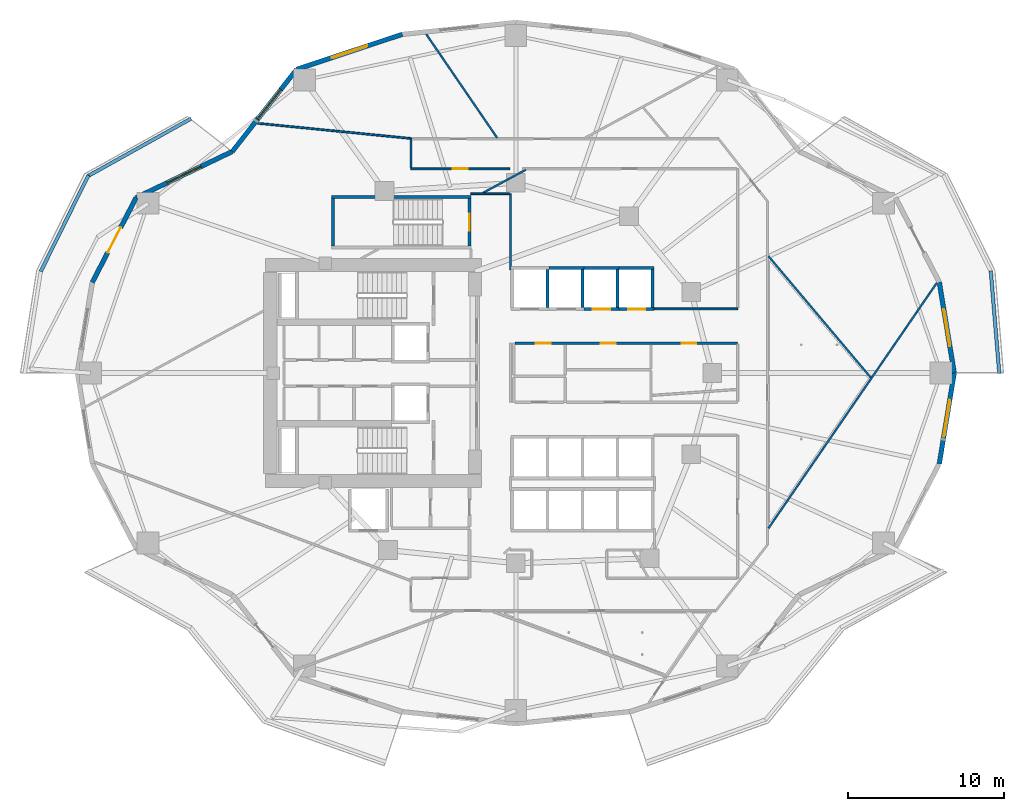
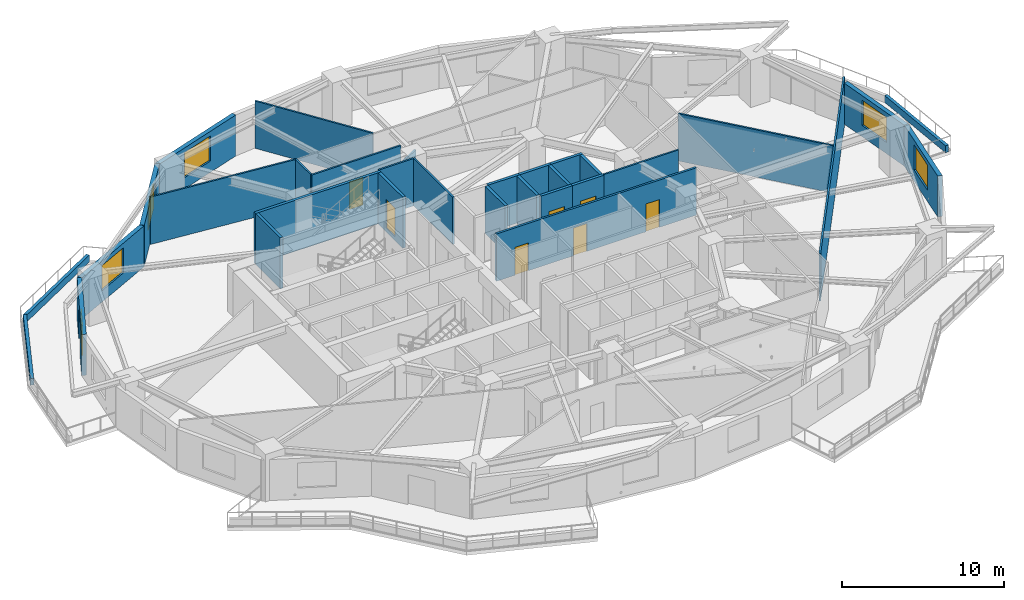
# One storey, part 6 of 16: 32 walls, 8 doors, 5 windows, 13 openings.
"""IFC4 building model written with IfcOpenShell, lengths in metres."""

from ifc_helpers import new_model, si_unit, direction, frame, frame_2d, origin, place, context, subcontext, project, spatial, rectangle, extrude, material, layer, layer_set, type_object, element, fill, save


model = new_model("IFC4")

# Units and contexts
model_context = context("Model", 3, precision=1e-05, world=origin(), true_north=direction((0.0, 1.0)))
body_context = subcontext(model_context, "Body", "Model", "MODEL_VIEW")
ifc_project = project(units=[si_unit("LENGTHUNIT", "METRE"), si_unit("AREAUNIT", "SQUARE_METRE"), si_unit("VOLUMEUNIT", "CUBIC_METRE"), si_unit("PLANEANGLEUNIT", "RADIAN"), si_unit("MASSUNIT", "GRAM", prefix="KILO")], contexts=[model_context])

# Site, building, storey
site_placement = place(None, origin())
site = spatial("IfcSite", under=ifc_project, at=site_placement, CompositionType="ELEMENT")
building_placement = place(site_placement, origin())
building = spatial("IfcBuilding", under=site, at=building_placement, Name="Kolvaren Gate Tower and Convention Centre", CompositionType="ELEMENT")
storey_placement = place(building_placement, frame((0.0, 0.0, 34.199951171875)))
storey = spatial("IfcBuildingStorey", under=building, at=storey_placement, Name="L07", CompositionType="ELEMENT", Elevation=34.199951171875)

# Walls
ifc_material_1 = material(Name="Fire-Rated Acoustic Gypsum Stud Partition", Category="gypsum")
ifc_layer_1 = layer(ifc_material_1, 0.1201171875)
ifc_layer_set_1 = layer_set([ifc_layer_1], Name="Fire-Rated Acoustic Gypsum Stud Partition")
wall_type_1 = type_object("IfcWallType", Name="ARCH-WL-PART-120", PredefinedType="PARTITIONING", material=ifc_layer_set_1)
wall_1_placement = place(storey_placement, frame((29.780029296875, 33.639892578125, 0.0), z_axis=(0.0, 0.0, 1.0), x_axis=(0.0, 1.0, 0.0)))
element("IfcWall", 1, at=wall_1_placement, inside=storey, type_object=wall_type_1, Name="Interior Partition WL-L07-INT-024", PredefinedType="PARTITIONING", context=body_context, shape_type="SweptSolid", body=[
    extrude(rectangle(XDim=4.860107421875, YDim=0.1201171875, at=frame_2d((2.43017578125, 0.0))), origin(), (0.0, 0.0, 1.0), 3.570068359375),
])
wall_2_placement = place(storey_placement, frame((39.02001953125, 31.1201171875, 0.0), z_axis=(0.0, 0.0, 1.0), x_axis=(1.0, 0.0, 0.0)))
element("IfcWall", 2, at=wall_2_placement, inside=storey, type_object=wall_type_1, Name="Interior Partition WL-L07-INT-025", PredefinedType="PARTITIONING", context=body_context, shape_type="SweptSolid", body=[
    extrude(rectangle(XDim=5.330078125, YDim=0.1201171875, at=frame_2d((2.6650390625, 0.0))), origin(), (0.0, 0.0, 1.0), 3.570068359375),
])

# Wall, opening, door
wall_3_placement = place(storey_placement, frame((23.39990234375, 40.10009765625, 0.0), z_axis=(0.0, 0.0, 1.0), x_axis=(1.0, 0.0, 0.0)))
wall_3 = element("IfcWall", 3, at=wall_3_placement, inside=storey, type_object=wall_type_1, Name="Interior Partition WL-L07-INT-029", PredefinedType="PARTITIONING", context=body_context, shape_type="SweptSolid", body=[
    extrude(rectangle(XDim=6.335205078125, YDim=0.1201171875, at=frame_2d((3.16748046875, 0.0))), origin(), (0.0, 0.0, 1.0), 3.570068359375),
])
opening_1_placement = place(wall_3_placement, frame((2.6923828125, 0.0, 0.0)))
opening_1 = element("IfcOpeningElement", 4, at=opening_1_placement, cuts=wall_3, Name="Opening DR-01", PredefinedType="OPENING", context=body_context, shape_type="SweptSolid", body=[
    extrude(rectangle(XDim=0.949951171875, YDim=2.10009765625, at=frame_2d((0.47509765625, 1.050048828125))), frame((0.0, 0.070068359375, 0.0), z_axis=(0.0, -1.0, 0.0), x_axis=(1.0, 0.0, 0.0)), (0.0, 0.0, 1.0), 0.14013671875),
])
ifc_material_2 = material(Name="Painted Architectural Steelwork ASTM A500 Grade C 345 MPa", Category="steel")
door_type_1 = type_object("IfcDoorType", Name="ARCH-DR-RISER-950", OperationType="SINGLE_SWING_RIGHT", PredefinedType="DOOR", material=ifc_material_2)
door_1_placement = place(opening_1_placement, origin())
door_1 = element("IfcDoor", 5, at=door_1_placement, inside=storey, type_object=door_type_1, Name="Conference and Training Seminar Room Door", OperationType="SINGLE_SWING_LEFT", OverallHeight=2.10009765625, OverallWidth=0.949951171875, PredefinedType="DOOR", context=body_context, shape_type="SweptSolid", body=[
    extrude(rectangle(XDim=0.949951171875, YDim=2.10009765625, at=frame_2d((0.47509765625, 1.050048828125))), frame((0.0, 0.02490234375, 0.0), z_axis=(0.0, -1.0, 0.0), x_axis=(1.0, 0.0, 0.0)), (0.0, 0.0, 1.0), 0.050048828125),
])
fill(opening_1, door_1)

# Walls
wall_4_placement = place(storey_placement, frame((23.39990234375, 40.162109375, 0.0), z_axis=(0.0, 0.0, 1.0), x_axis=(0.0, 1.0, 0.0)))
element("IfcWall", 6, at=wall_4_placement, inside=storey, type_object=wall_type_1, Name="Interior Partition WL-L07-INT-032", PredefinedType="PARTITIONING", context=body_context, shape_type="SweptSolid", body=[
    extrude(rectangle(XDim=1.885986328125, YDim=0.1201171875, at=frame_2d((0.94287109375, 0.0))), origin(), (0.0, 0.0, 1.0), 3.570068359375),
])
wall_5_placement = place(storey_placement, frame((27.25, 38.5, 0.0), z_axis=(0.0, 0.0, 1.0), x_axis=(1.0, 0.0, 0.0)))
element("IfcWall", 7, at=wall_5_placement, inside=storey, type_object=wall_type_1, Name="Interior Partition WL-L07-INT-042", PredefinedType="PARTITIONING", context=body_context, shape_type="SweptSolid", body=[
    extrude(rectangle(XDim=2.468017578125, YDim=0.1201171875, at=frame_2d((1.23388671875, 0.0))), origin(), (0.0, 0.0, 1.0), 3.570068359375),
])
wall_6_placement = place(storey_placement, frame((28.018798828125, 38.56201171875, 0.0), z_axis=(0.0, 0.0, 1.0), x_axis=(0.880483688628, 0.474076443267, 0.0)))
element("IfcWall", 8, at=wall_6_placement, inside=storey, type_object=wall_type_1, Name="Interior Partition WL-L07-INT-052", PredefinedType="PARTITIONING", context=body_context, shape_type="SweptSolid", body=[
    extrude(rectangle(XDim=3.113525390625, YDim=0.1201171875, at=frame_2d((1.556640625, 0.0))), origin(), (0.0, 0.0, 1.0), 2.93408203125),
])
wall_7_placement = place(storey_placement, frame((46.33203125, 17.04541015625, 0.0), z_axis=(0.0, 0.0, 1.0), x_axis=(0.565716902062, 0.824599531119, 0.0)))
element("IfcWall", 9, at=wall_7_placement, inside=storey, type_object=wall_type_1, Name="Interior Partition WL-L07-INT-058", PredefinedType="PARTITIONING", context=body_context, shape_type="SweptSolid", body=[
    extrude(rectangle(XDim=19.097900390625, YDim=0.1201171875, at=frame_2d((9.548828125, 0.0))), origin(), (0.0, 0.0, 1.0), 3.570068359375),
])
wall_8_placement = place(storey_placement, frame((46.33203125, 34.497314453125, 0.0), z_axis=(0.0, 0.0, 1.0), x_axis=(0.644329997074, -0.764747575917, 0.0)))
element("IfcWall", 10, at=wall_8_placement, inside=storey, type_object=wall_type_1, Name="Interior Partition WL-L07-INT-061", PredefinedType="PARTITIONING", context=body_context, shape_type="SweptSolid", body=[
    extrude(rectangle(XDim=10.177734375, YDim=0.1201171875, at=frame_2d((5.0888671875, 0.0))), origin(), (0.0, 0.0, 1.0), 3.570068359375),
])
wall_9_placement = place(storey_placement, frame((24.376953125, 48.74169921875, 0.0), z_axis=(0.0, 0.0, 1.0), x_axis=(0.56452118845, -0.825418577323, 0.0)))
element("IfcWall", 11, at=wall_9_placement, inside=storey, type_object=wall_type_1, Name="Interior Partition WL-L07-INT-063", PredefinedType="PARTITIONING", context=body_context, shape_type="SweptSolid", body=[
    extrude(rectangle(XDim=8.068115234375, YDim=0.1201171875, at=frame_2d((4.0341796875, 0.0))), origin(), (0.0, 0.0, 1.0), 3.570068359375),
])
wall_10_placement = place(storey_placement, frame((13.546142578125, 43.0244140625, 0.0), z_axis=(0.0, 0.0, 1.0), x_axis=(0.995126865481, -0.098602847817, 0.0)))
element("IfcWall", 12, at=wall_10_placement, inside=storey, type_object=wall_type_1, Name="Interior Partition WL-L07-INT-064", PredefinedType="PARTITIONING", context=body_context, shape_type="SweptSolid", body=[
    extrude(rectangle(XDim=9.901611328125, YDim=0.1201171875, at=frame_2d((4.95068359375, 0.0))), origin(), (0.0, 0.0, 1.0), 3.570068359375),
])
ifc_material_3 = material(Name="Piedmont Cream Honed Limestone Cladding", Category="masonry")
ifc_layer_2 = layer(ifc_material_3, 0.219970703125)
ifc_layer_set_2 = layer_set([ifc_layer_2], Name="Piedmont Cream Honed Limestone Cladding")
wall_type_2 = type_object("IfcWallType", Name="ARCH-WL-PLANTER-220", PredefinedType="PARAPET", material=ifc_layer_set_2)
wall_11_placement = place(storey_placement, frame((60.592041015625, 33.560791015625, 0.0), z_axis=(0.0, 0.0, 1.0), x_axis=(0.08310047353, -0.996541173911, 0.0)))
element("IfcWall", 13, at=wall_11_placement, inside=storey, type_object=wall_type_2, Name="Vertical-Forest Balcony Stone Planter Kerb PK-L07-1.1", PredefinedType="PARAPET", context=body_context, shape_type="SweptSolid", body=[
    extrude(rectangle(XDim=6.61328125, YDim=0.219970703125, at=frame_2d((3.306640625, 0.0))), origin(), (0.0, 0.0, 1.0), 0.52001953125),
])
wall_12_placement = place(storey_placement, frame((2.685302734375, 39.640625, 0.0), z_axis=(0.0, 0.0, 1.0), x_axis=(0.873500119739, 0.48682393205, 0.0)))
element("IfcWall", 14, at=wall_12_placement, inside=storey, type_object=wall_type_2, Name="Vertical-Forest Balcony Stone Planter Kerb PK-L07-2.1", PredefinedType="PARAPET", context=body_context, shape_type="SweptSolid", body=[
    extrude(rectangle(XDim=7.56201171875, YDim=0.219970703125, at=frame_2d((3.781005859375, 0.0))), origin(), (0.0, 0.0, 1.0), 0.52001953125),
])
wall_13_placement = place(storey_placement, frame((-0.3544921875, 33.50244140625, 0.0), z_axis=(0.0, 0.0, 1.0), x_axis=(0.443578479433, 0.8962355341, 0.0)))
element("IfcWall", 15, at=wall_13_placement, inside=storey, type_object=wall_type_2, Name="Vertical-Forest Balcony Stone Planter Kerb PK-L07-2.2", PredefinedType="PARAPET", context=body_context, shape_type="SweptSolid", body=[
    extrude(rectangle(XDim=6.9111328125, YDim=0.219970703125, at=frame_2d((3.45556640625, 0.0))), origin(), (0.0, 0.0, 1.0), 0.52001953125),
])
ifc_material_4 = material(Name="Autoclaved Aerated Masonry Blockwork Class 4 (4.0 MPa)", Category="masonry")
ifc_layer_3 = layer(ifc_material_4, 0.199951171875)
ifc_layer_set_3 = layer_set([ifc_layer_3], Name="Autoclaved Aerated Masonry Blockwork Class 4 (4.0 MPa)")
wall_type_3 = type_object("IfcWallType", Name="ARCH-WL-SHAFT-200", PredefinedType="SOLIDWALL", material=ifc_layer_set_3)
wall_14_placement = place(storey_placement, frame((32.14990234375, 31.2099609375, 0.0), z_axis=(0.0, 0.0, 1.0), x_axis=(0.0, 1.0, 0.0)))
element("IfcWall", 16, at=wall_14_placement, inside=storey, type_object=wall_type_3, Name="Elevator PL-01 L07 Fire Shaft Wall E", PredefinedType="SOLIDWALL", context=body_context, shape_type="SweptSolid", body=[
    extrude(rectangle(XDim=2.429931640625, YDim=0.199951171875, at=frame_2d((1.21484375, 0.0))), origin(), (0.0, 0.0, 1.0), 3.570068359375),
])
wall_15_placement = place(storey_placement, frame((32.25, 33.75, 0.0), z_axis=(0.0, 0.0, 1.0), x_axis=(1.0, 0.0, 0.0)))
element("IfcWall", 17, at=wall_15_placement, inside=storey, type_object=wall_type_3, Name="Elevator PL-02 L07 Fire Shaft Wall N", PredefinedType="SOLIDWALL", context=body_context, shape_type="SweptSolid", body=[
    extrude(rectangle(XDim=2.25, YDim=0.199951171875, at=frame_2d((1.125, 0.0))), origin(), (0.0, 0.0, 1.0), 3.570068359375),
])
wall_16_placement = place(storey_placement, frame((34.39990234375, 31.2099609375, 0.0), z_axis=(0.0, 0.0, 1.0), x_axis=(0.0, 1.0, 0.0)))
element("IfcWall", 18, at=wall_16_placement, inside=storey, type_object=wall_type_3, Name="Elevator PL-02 L07 Fire Shaft Wall E", PredefinedType="SOLIDWALL", context=body_context, shape_type="SweptSolid", body=[
    extrude(rectangle(XDim=2.429931640625, YDim=0.199951171875, at=frame_2d((1.21484375, 0.0))), origin(), (0.0, 0.0, 1.0), 3.570068359375),
])
wall_17_placement = place(storey_placement, frame((34.5, 33.75, 0.0), z_axis=(0.0, 0.0, 1.0), x_axis=(1.0, 0.0, 0.0)))
element("IfcWall", 19, at=wall_17_placement, inside=storey, type_object=wall_type_3, Name="Elevator PL-03 L07 Fire Shaft Wall N", PredefinedType="SOLIDWALL", context=body_context, shape_type="SweptSolid", body=[
    extrude(rectangle(XDim=2.25, YDim=0.199951171875, at=frame_2d((1.125, 0.0))), origin(), (0.0, 0.0, 1.0), 3.570068359375),
])

# Wall, opening, door
wall_18_placement = place(storey_placement, frame((34.5, 31.10009765625, 0.0), z_axis=(0.0, 0.0, 1.0), x_axis=(1.0, 0.0, 0.0)))
wall_18 = element("IfcWall", 20, at=wall_18_placement, inside=storey, type_object=wall_type_3, Name="Elevator PL-03 L07 Fire Shaft Wall S", PredefinedType="SOLIDWALL", context=body_context, shape_type="SweptSolid", body=[
    extrude(rectangle(XDim=2.25, YDim=0.199951171875, at=frame_2d((1.125, 0.0))), origin(), (0.0, 0.0, 1.0), 3.570068359375),
])
opening_2_placement = place(wall_18_placement, frame((0.574951171875, 0.0, 0.0)))
opening_2 = element("IfcOpeningElement", 21, at=opening_2_placement, cuts=wall_18, Name="Opening LD", PredefinedType="OPENING", context=body_context, shape_type="SweptSolid", body=[
    extrude(rectangle(XDim=1.10009765625, YDim=2.199951171875, at=frame_2d((0.550048828125, 1.10009765625))), frame((0.0, 0.10986328125, 0.0), z_axis=(0.0, -1.0, 0.0), x_axis=(1.0, 0.0, 0.0)), (0.0, 0.0, 1.0), 0.219970703125),
])
ifc_material_5 = material(Name="Brushed Stainless Steel Grade 316L", Category="steel")
door_type_2 = type_object("IfcDoorType", Name="ARCH-DR-LIFT-1100", OperationType="SLIDING_TO_LEFT", PredefinedType="DOOR", material=ifc_material_5)
door_2_placement = place(opening_2_placement, origin())
door_2 = element("IfcDoor", 22, at=door_2_placement, inside=storey, type_object=door_type_2, Name="Elevator PL-03 L07 Sliding Landing Door", OperationType="SLIDING_TO_LEFT", OverallHeight=2.199951171875, OverallWidth=1.10009765625, PredefinedType="DOOR", context=body_context, shape_type="SweptSolid", body=[
    extrude(rectangle(XDim=1.10009765625, YDim=2.199951171875, at=frame_2d((0.550048828125, 1.10009765625))), frame((0.0, 0.02490234375, 0.0), z_axis=(0.0, -1.0, 0.0), x_axis=(1.0, 0.0, 0.0)), (0.0, 0.0, 1.0), 0.050048828125),
])
fill(opening_2, door_2)

# Walls
wall_19_placement = place(storey_placement, frame((36.64990234375, 31.2099609375, 0.0), z_axis=(0.0, 0.0, 1.0), x_axis=(0.0, 1.0, 0.0)))
element("IfcWall", 23, at=wall_19_placement, inside=storey, type_object=wall_type_3, Name="Elevator PL-03 L07 Fire Shaft Wall E", PredefinedType="SOLIDWALL", context=body_context, shape_type="SweptSolid", body=[
    extrude(rectangle(XDim=2.429931640625, YDim=0.199951171875, at=frame_2d((1.21484375, 0.0))), origin(), (0.0, 0.0, 1.0), 3.570068359375),
])
wall_20_placement = place(storey_placement, frame((36.75, 33.75, 0.0), z_axis=(0.0, 0.0, 1.0), x_axis=(1.0, 0.0, 0.0)))
element("IfcWall", 24, at=wall_20_placement, inside=storey, type_object=wall_type_3, Name="Elevator PL-04 L07 Fire Shaft Wall N", PredefinedType="SOLIDWALL", context=body_context, shape_type="SweptSolid", body=[
    extrude(rectangle(XDim=2.25, YDim=0.199951171875, at=frame_2d((1.125, 0.0))), origin(), (0.0, 0.0, 1.0), 3.570068359375),
])

# Wall, opening, door
wall_21_placement = place(storey_placement, frame((36.75, 31.10009765625, 0.0), z_axis=(0.0, 0.0, 1.0), x_axis=(1.0, 0.0, 0.0)))
wall_21 = element("IfcWall", 25, at=wall_21_placement, inside=storey, type_object=wall_type_3, Name="Elevator PL-04 L07 Fire Shaft Wall S", PredefinedType="SOLIDWALL", context=body_context, shape_type="SweptSolid", body=[
    extrude(rectangle(XDim=2.25, YDim=0.199951171875, at=frame_2d((1.125, 0.0))), origin(), (0.0, 0.0, 1.0), 3.570068359375),
])
opening_3_placement = place(wall_21_placement, frame((0.574951171875, 0.0, 0.0)))
opening_3 = element("IfcOpeningElement", 26, at=opening_3_placement, cuts=wall_21, Name="Opening LD", PredefinedType="OPENING", context=body_context, shape_type="SweptSolid", body=[
    extrude(rectangle(XDim=1.10009765625, YDim=2.199951171875, at=frame_2d((0.550048828125, 1.10009765625))), frame((0.0, 0.10986328125, 0.0), z_axis=(0.0, -1.0, 0.0), x_axis=(1.0, 0.0, 0.0)), (0.0, 0.0, 1.0), 0.219970703125),
])
door_3_placement = place(opening_3_placement, origin())
door_3 = element("IfcDoor", 27, at=door_3_placement, inside=storey, type_object=door_type_2, Name="Elevator PL-04 L07 Sliding Landing Door", OperationType="SLIDING_TO_LEFT", OverallHeight=2.199951171875, OverallWidth=1.10009765625, PredefinedType="DOOR", context=body_context, shape_type="SweptSolid", body=[
    extrude(rectangle(XDim=1.10009765625, YDim=2.199951171875, at=frame_2d((0.550048828125, 1.10009765625))), frame((0.0, 0.02490234375, 0.0), z_axis=(0.0, -1.0, 0.0), x_axis=(1.0, 0.0, 0.0)), (0.0, 0.0, 1.0), 0.050048828125),
])
fill(opening_3, door_3)

# Wall
wall_22_placement = place(storey_placement, frame((38.89990234375, 31.2099609375, 0.0), z_axis=(0.0, 0.0, 1.0), x_axis=(0.0, 1.0, 0.0)))
element("IfcWall", 28, at=wall_22_placement, inside=storey, type_object=wall_type_3, Name="Elevator PL-04 L07 Fire Shaft Wall E", PredefinedType="SOLIDWALL", context=body_context, shape_type="SweptSolid", body=[
    extrude(rectangle(XDim=2.429931640625, YDim=0.199951171875, at=frame_2d((1.21484375, 0.0))), origin(), (0.0, 0.0, 1.0), 3.570068359375),
])

# Wall, opening, window
ifc_layer_4 = layer(ifc_material_3, 0.300048828125)
ifc_layer_set_4 = layer_set([ifc_layer_4], Name="Piedmont Cream Honed Limestone Cladding")
wall_type_4 = type_object("IfcWallType", Name="ARCH-WL-STONE-300", PredefinedType="SOLIDWALL", material=ifc_layer_set_4)
wall_23_placement = place(storey_placement, frame((57.291748046875, 32.823486328125, 0.0), z_axis=(0.0, 0.0, 1.0), x_axis=(0.162366057843, -0.98673059305, 0.0)))
wall_23 = element("IfcWall", 29, at=wall_23_placement, inside=storey, type_object=wall_type_4, Name="Tower L07 Honed Stone Spandrel Wall EW-00", PredefinedType="SOLIDWALL", context=body_context, shape_type="SweptSolid", body=[
    extrude(rectangle(XDim=5.90185546875, YDim=0.300048828125, at=frame_2d((2.950927734375, 0.0))), origin(), (0.0, 0.0, 1.0), 3.093017578125),
])
opening_4_placement = place(wall_23_placement, frame((1.7509765625, 0.0, 0.85009765625)))
opening_4 = element("IfcOpeningElement", 30, at=opening_4_placement, cuts=wall_23, Name="Opening W-01", PredefinedType="OPENING", context=body_context, shape_type="SweptSolid", body=[
    extrude(rectangle(XDim=2.39990234375, YDim=1.89990234375, at=frame_2d((1.199951171875, 0.949951171875))), frame((0.0, 0.159912109375, 0.0), z_axis=(0.0, -1.0, 0.0), x_axis=(1.0, 0.0, 0.0)), (0.0, 0.0, 1.0), 0.320068359375),
])
ifc_material_6 = material(Name="Low-E Triple Insulated Glazing Unit 44 mm", Category="glass")
window_type = type_object("IfcWindowType", Name="ARCH-WN-OFF-2400", PartitioningType="SINGLE_PANEL", PredefinedType="WINDOW", material=ifc_material_6)
window_1_placement = place(opening_4_placement, origin())
window_1 = element("IfcWindow", 31, at=window_1_placement, inside=storey, type_object=window_type, Name="Tower L07 Punched Stone Facade Window W-00", OverallHeight=1.89990234375, OverallWidth=2.39990234375, PartitioningType="SINGLE_PANEL", PredefinedType="WINDOW", context=body_context, shape_type="SweptSolid", body=[
    extrude(rectangle(XDim=2.39990234375, YDim=1.89990234375, at=frame_2d((1.199951171875, 0.949951171875))), frame((0.0, 0.030029296875, 0.0), z_axis=(0.0, -1.0, 0.0), x_axis=(1.0, 0.0, 0.0)), (0.0, 0.0, 1.0), 0.06005859375),
])
fill(opening_4, window_1)

wall_24_placement = place(storey_placement, frame((16.0625, 46.485595703125, 0.0), z_axis=(0.0, 0.0, 1.0), x_axis=(0.949238715533, 0.31455661006, 0.0)))
wall_24 = element("IfcWall", 32, at=wall_24_placement, inside=storey, type_object=wall_type_4, Name="Tower L07 Honed Stone Spandrel Wall EW-07", PredefinedType="SOLIDWALL", context=body_context, shape_type="SweptSolid", body=[
    extrude(rectangle(XDim=7.14599609375, YDim=0.300048828125, at=frame_2d((3.572998046875, 0.0))), origin(), (0.0, 0.0, 1.0), 3.093017578125),
])
opening_5_placement = place(wall_24_placement, frame((2.373046875, 0.0, 0.85009765625)))
opening_5 = element("IfcOpeningElement", 33, at=opening_5_placement, cuts=wall_24, Name="Opening W-01", PredefinedType="OPENING", context=body_context, shape_type="SweptSolid", body=[
    extrude(rectangle(XDim=2.39990234375, YDim=1.89990234375, at=frame_2d((1.199951171875, 0.949951171875))), frame((0.0, 0.159912109375, 0.0), z_axis=(0.0, -1.0, 0.0), x_axis=(1.0, 0.0, 0.0)), (0.0, 0.0, 1.0), 0.320068359375),
])
window_2_placement = place(opening_5_placement, origin())
window_2 = element("IfcWindow", 34, at=window_2_placement, inside=storey, type_object=window_type, Name="Tower L07 Punched Stone Facade Window W-07", OverallHeight=1.89990234375, OverallWidth=2.39990234375, PartitioningType="SINGLE_PANEL", PredefinedType="WINDOW", context=body_context, shape_type="SweptSolid", body=[
    extrude(rectangle(XDim=2.39990234375, YDim=1.89990234375, at=frame_2d((1.199951171875, 0.949951171875))), frame((0.0, 0.030029296875, 0.0), z_axis=(0.0, -1.0, 0.0), x_axis=(1.0, 0.0, 0.0)), (0.0, 0.0, 1.0), 0.06005859375),
])
fill(opening_5, window_2)

wall_25_placement = place(storey_placement, frame((11.934814453125, 41.212890625, 0.0), z_axis=(0.0, 0.0, 1.0), x_axis=(0.616421309777, 0.787416515482, 0.0)))
wall_25 = element("IfcWall", 35, at=wall_25_placement, inside=storey, type_object=wall_type_4, Name="Tower L07 Honed Stone Spandrel Wall EW-08", PredefinedType="SOLIDWALL", context=body_context, shape_type="SweptSolid", body=[
    extrude(rectangle(XDim=6.6962890625, YDim=0.300048828125, at=frame_2d((3.34814453125, 0.0))), origin(), (0.0, 0.0, 1.0), 3.093017578125),
])
opening_6_placement = place(wall_25_placement, frame((2.64990234375, 0.0, 0.85009765625)))
opening_6 = element("IfcOpeningElement", 36, at=opening_6_placement, cuts=wall_25, Name="Opening W-01", PredefinedType="OPENING", context=body_context, shape_type="SweptSolid", body=[
    extrude(rectangle(XDim=2.39990234375, YDim=1.89990234375, at=frame_2d((1.199951171875, 0.949951171875))), frame((0.0, 0.159912109375, 0.0), z_axis=(0.0, -1.0, 0.0), x_axis=(1.0, 0.0, 0.0)), (0.0, 0.0, 1.0), 0.320068359375),
])
window_3_placement = place(opening_6_placement, origin())
window_3 = element("IfcWindow", 37, at=window_3_placement, inside=storey, type_object=window_type, Name="Tower L07 Punched Stone Facade Window W-08", OverallHeight=1.89990234375, OverallWidth=2.39990234375, PartitioningType="SINGLE_PANEL", PredefinedType="WINDOW", context=body_context, shape_type="SweptSolid", body=[
    extrude(rectangle(XDim=2.39990234375, YDim=1.89990234375, at=frame_2d((1.199951171875, 0.949951171875))), frame((0.0, 0.030029296875, 0.0), z_axis=(0.0, -1.0, 0.0), x_axis=(1.0, 0.0, 0.0)), (0.0, 0.0, 1.0), 0.06005859375),
])
fill(opening_6, window_3)

wall_26_placement = place(storey_placement, frame((5.76806640625, 38.25, 0.0), z_axis=(0.0, 0.0, 1.0), x_axis=(0.901360393999, 0.433069786673, 0.0)))
wall_26 = element("IfcWall", 38, at=wall_26_placement, inside=storey, type_object=wall_type_4, Name="Tower L07 Honed Stone Spandrel Wall EW-09", PredefinedType="SOLIDWALL", context=body_context, shape_type="SweptSolid", body=[
    extrude(rectangle(XDim=6.841552734375, YDim=0.300048828125, at=frame_2d((3.4208984375, 0.0))), origin(), (0.0, 0.0, 1.0), 3.093017578125),
])
opening_7_placement = place(wall_26_placement, frame((2.220947265625, 0.0, 0.85009765625)))
opening_7 = element("IfcOpeningElement", 39, at=opening_7_placement, cuts=wall_26, Name="Opening W-01", PredefinedType="OPENING", context=body_context, shape_type="SweptSolid", body=[
    extrude(rectangle(XDim=2.39990234375, YDim=1.89990234375, at=frame_2d((1.199951171875, 0.949951171875))), frame((0.0, 0.159912109375, 0.0), z_axis=(0.0, -1.0, 0.0), x_axis=(1.0, 0.0, 0.0)), (0.0, 0.0, 1.0), 0.320068359375),
])
window_4_placement = place(opening_7_placement, origin())
window_4 = element("IfcWindow", 40, at=window_4_placement, inside=storey, type_object=window_type, Name="Tower L07 Punched Stone Facade Window W-09", OverallHeight=1.89990234375, OverallWidth=2.39990234375, PartitioningType="SINGLE_PANEL", PredefinedType="WINDOW", context=body_context, shape_type="SweptSolid", body=[
    extrude(rectangle(XDim=2.39990234375, YDim=1.89990234375, at=frame_2d((1.199951171875, 0.949951171875))), frame((0.0, 0.030029296875, 0.0), z_axis=(0.0, -1.0, 0.0), x_axis=(1.0, 0.0, 0.0)), (0.0, 0.0, 1.0), 0.06005859375),
])
fill(opening_7, window_4)

# Wall, opening, door
wall_27_placement = place(storey_placement, frame((2.958251953125, 32.823486328125, 0.0), z_axis=(0.0, 0.0, 1.0), x_axis=(0.459809804413, 0.88801742312, 0.0)))
wall_27 = element("IfcWall", 41, at=wall_27_placement, inside=storey, type_object=wall_type_4, Name="Tower L07 Honed Stone Spandrel Wall EW-10", PredefinedType="SOLIDWALL", context=body_context, shape_type="SweptSolid", body=[
    extrude(rectangle(XDim=6.11083984375, YDim=0.300048828125, at=frame_2d((3.055419921875, 0.0))), origin(), (0.0, 0.0, 1.0), 3.093017578125),
])
opening_8_placement = place(wall_27_placement, frame((2.155029296875, 0.0, 0.0)))
opening_8 = element("IfcOpeningElement", 42, at=opening_8_placement, cuts=wall_27, Name="Opening DB-01", PredefinedType="OPENING", context=body_context, shape_type="SweptSolid", body=[
    extrude(rectangle(XDim=1.800048828125, YDim=2.25, at=frame_2d((0.89990234375, 1.125))), frame((0.0, 0.159912109375, 0.0), z_axis=(0.0, -1.0, 0.0), x_axis=(1.0, 0.0, 0.0)), (0.0, 0.0, 1.0), 0.320068359375),
])
ifc_material_7 = material(Name="Anodized Architectural Aluminium Alloy 6063-T6", Category="aluminium")
door_type_3 = type_object("IfcDoorType", Name="ARCH-DR-BALC-1800", OperationType="SLIDING_TO_LEFT", PredefinedType="DOOR", material=ifc_material_7)
door_4_placement = place(opening_8_placement, origin())
door_4 = element("IfcDoor", 43, at=door_4_placement, inside=storey, type_object=door_type_3, Name="Planted Sky Terrace Access Door DB-L07-10", OperationType="SLIDING_TO_LEFT", OverallHeight=2.25, OverallWidth=1.800048828125, PredefinedType="DOOR", context=body_context, shape_type="SweptSolid", body=[
    extrude(rectangle(XDim=1.800048828125, YDim=2.25, at=frame_2d((0.89990234375, 1.125))), frame((0.0, 0.02490234375, 0.0), z_axis=(0.0, -1.0, 0.0), x_axis=(1.0, 0.0, 0.0)), (0.0, 0.0, 1.0), 0.050048828125),
])
fill(opening_8, door_4)

# Wall, opening, window
wall_28_placement = place(storey_placement, frame((57.291748046875, 21.176513671875, 0.0), z_axis=(0.0, 0.0, 1.0), x_axis=(0.162366057843, 0.98673059305, 0.0)))
wall_28 = element("IfcWall", 44, at=wall_28_placement, inside=storey, type_object=wall_type_4, Name="Tower L07 Honed Stone Spandrel Wall EW-23", PredefinedType="SOLIDWALL", context=body_context, shape_type="SweptSolid", body=[
    extrude(rectangle(XDim=5.90185546875, YDim=0.300048828125, at=frame_2d((2.950927734375, 0.0))), origin(), (0.0, 0.0, 1.0), 3.093017578125),
])
opening_9_placement = place(wall_28_placement, frame((1.7509765625, 0.0, 0.85009765625)))
opening_9 = element("IfcOpeningElement", 45, at=opening_9_placement, cuts=wall_28, Name="Opening W-01", PredefinedType="OPENING", context=body_context, shape_type="SweptSolid", body=[
    extrude(rectangle(XDim=2.39990234375, YDim=1.89990234375, at=frame_2d((1.199951171875, 0.949951171875))), frame((0.0, 0.159912109375, 0.0), z_axis=(0.0, -1.0, 0.0), x_axis=(1.0, 0.0, 0.0)), (0.0, 0.0, 1.0), 0.320068359375),
])
window_5_placement = place(opening_9_placement, origin())
window_5 = element("IfcWindow", 46, at=window_5_placement, inside=storey, type_object=window_type, Name="Tower L07 Punched Stone Facade Window W-23", OverallHeight=1.89990234375, OverallWidth=2.39990234375, PartitioningType="SINGLE_PANEL", PredefinedType="WINDOW", context=body_context, shape_type="SweptSolid", body=[
    extrude(rectangle(XDim=2.39990234375, YDim=1.89990234375, at=frame_2d((1.199951171875, 0.949951171875))), frame((0.0, 0.030029296875, 0.0), z_axis=(0.0, -1.0, 0.0), x_axis=(1.0, 0.0, 0.0)), (0.0, 0.0, 1.0), 0.06005859375),
])
fill(opening_9, window_5)

# Wall, openings, doors
ifc_material_8 = material(Name="Moisture-Resistant Cement-Board Acoustic Partition", Category="gypsum")
ifc_layer_5 = layer(ifc_material_8, 0.14990234375)
ifc_layer_set_5 = layer_set([ifc_layer_5], Name="Moisture-Resistant Cement-Board Acoustic Partition")
wall_type_5 = type_object("IfcWallType", Name="ARCH-WL-WET-150", PredefinedType="PARTITIONING", material=ifc_layer_set_5)
wall_29_placement = place(storey_placement, frame((30.076904296875, 28.919921875, 0.0), z_axis=(0.0, 0.0, 1.0), x_axis=(1.0, 0.0, 0.0)))
wall_29 = element("IfcWall", 47, at=wall_29_placement, inside=storey, type_object=wall_type_5, Name="Interior Partition WL-L07-INT-017", PredefinedType="PARTITIONING", context=body_context, shape_type="SweptSolid", body=[
    extrude(rectangle(XDim=14.273193359375, YDim=0.14990234375, at=frame_2d((7.13671875, 0.0))), origin(), (0.0, 0.0, 1.0), 3.570068359375),
])
opening_10_placement = place(wall_29_placement, frame((1.341552734375, 0.0, 0.0)))
opening_10 = element("IfcOpeningElement", 48, at=opening_10_placement, cuts=wall_29, Name="Opening DR-01", PredefinedType="OPENING", context=body_context, shape_type="SweptSolid", body=[
    extrude(rectangle(XDim=0.949951171875, YDim=2.10009765625, at=frame_2d((0.47509765625, 1.050048828125))), frame((0.0, 0.0849609375, 0.0), z_axis=(0.0, -1.0, 0.0), x_axis=(1.0, 0.0, 0.0)), (0.0, 0.0, 1.0), 0.169921875),
])
opening_11_placement = place(wall_29_placement, frame((5.498046875, 0.0, 0.0)))
opening_11 = element("IfcOpeningElement", 49, at=opening_11_placement, cuts=wall_29, Name="Opening DR-01", PredefinedType="OPENING", context=body_context, shape_type="SweptSolid", body=[
    extrude(rectangle(XDim=0.949951171875, YDim=2.10009765625, at=frame_2d((0.47509765625, 1.050048828125))), frame((0.0, 0.0849609375, 0.0), z_axis=(0.0, -1.0, 0.0), x_axis=(1.0, 0.0, 0.0)), (0.0, 0.0, 1.0), 0.169921875),
])
opening_12_placement = place(wall_29_placement, frame((10.677978515625, 0.0, 0.0)))
opening_12 = element("IfcOpeningElement", 50, at=opening_12_placement, cuts=wall_29, Name="Opening DR-01", PredefinedType="OPENING", context=body_context, shape_type="SweptSolid", body=[
    extrude(rectangle(XDim=0.949951171875, YDim=2.10009765625, at=frame_2d((0.47509765625, 1.050048828125))), frame((0.0, 0.0849609375, 0.0), z_axis=(0.0, -1.0, 0.0), x_axis=(1.0, 0.0, 0.0)), (0.0, 0.0, 1.0), 0.169921875),
])
door_5_placement = place(opening_10_placement, origin())
door_5 = element("IfcDoor", 51, at=door_5_placement, inside=storey, type_object=door_type_1, Name="Accessible North Washroom Door", OperationType="SINGLE_SWING_RIGHT", OverallHeight=2.10009765625, OverallWidth=0.949951171875, PredefinedType="DOOR", context=body_context, shape_type="SweptSolid", body=[
    extrude(rectangle(XDim=0.949951171875, YDim=2.10009765625, at=frame_2d((0.47509765625, 1.050048828125))), frame((0.0, 0.02490234375, 0.0), z_axis=(0.0, -1.0, 0.0), x_axis=(1.0, 0.0, 0.0)), (0.0, 0.0, 1.0), 0.050048828125),
])
fill(opening_10, door_5)
door_6_placement = place(opening_11_placement, origin())
door_6 = element("IfcDoor", 52, at=door_6_placement, inside=storey, type_object=door_type_1, Name="Floor Janitor and Supply Store Door", OperationType="SINGLE_SWING_RIGHT", OverallHeight=2.10009765625, OverallWidth=0.949951171875, PredefinedType="DOOR", context=body_context, shape_type="SweptSolid", body=[
    extrude(rectangle(XDim=0.949951171875, YDim=2.10009765625, at=frame_2d((0.47509765625, 1.050048828125))), frame((0.0, 0.02490234375, 0.0), z_axis=(0.0, -1.0, 0.0), x_axis=(1.0, 0.0, 0.0)), (0.0, 0.0, 1.0), 0.050048828125),
])
fill(opening_11, door_6)
door_7_placement = place(opening_12_placement, origin())
door_7 = element("IfcDoor", 53, at=door_7_placement, inside=storey, type_object=door_type_1, Name="Tea Pantry Door", OperationType="SINGLE_SWING_RIGHT", OverallHeight=2.10009765625, OverallWidth=0.949951171875, PredefinedType="DOOR", context=body_context, shape_type="SweptSolid", body=[
    extrude(rectangle(XDim=0.949951171875, YDim=2.10009765625, at=frame_2d((0.47509765625, 1.050048828125))), frame((0.0, 0.02490234375, 0.0), z_axis=(0.0, -1.0, 0.0), x_axis=(1.0, 0.0, 0.0)), (0.0, 0.0, 1.0), 0.050048828125),
])
fill(opening_12, door_7)

# Wall, opening, door
ifc_material_9 = material(Name="Concrete C50/60", Category="concrete")
ifc_layer_6 = layer(ifc_material_9, 0.199951171875)
ifc_layer_set_6 = layer_set([ifc_layer_6], Name="Concrete C50/60")
wall_type_6 = type_object("IfcWallType", Name="STR-WL-SHAFT-200", PredefinedType="SHEAR", material=ifc_layer_set_6)
wall_30_placement = place(storey_placement, frame((27.14990234375, 35.159912109375, -0.280029296875), z_axis=(0.0, 0.0, 1.0), x_axis=(0.0, 1.0, 0.0)))
wall_30 = element("IfcWall", 54, at=wall_30_placement, inside=storey, type_object=wall_type_6, Name="Tower Mid-Zone Exit Stair ST-T3 L07 Structural Shear Enclosure Wall NEAR", PredefinedType="SHEAR", context=body_context, shape_type="SweptSolid", body=[
    extrude(rectangle(XDim=3.0400390625, YDim=0.199951171875, at=frame_2d((1.52001953125, 0.0))), origin(), (0.0, 0.0, 1.0), 3.85009765625),
])
opening_13_placement = place(wall_30_placement, frame((0.969970703125, 0.0, 0.280029296875)))
opening_13 = element("IfcOpeningElement", 55, at=opening_13_placement, cuts=wall_30, Name="Opening DS-01", PredefinedType="OPENING", context=body_context, shape_type="SweptSolid", body=[
    extrude(rectangle(XDim=1.10009765625, YDim=2.14990234375, at=frame_2d((0.550048828125, 1.074951171875))), frame((0.0, 0.10986328125, 0.0), z_axis=(0.0, -1.0, 0.0), x_axis=(1.0, 0.0, 0.0)), (0.0, 0.0, 1.0), 0.219970703125),
])
door_type_4 = type_object("IfcDoorType", Name="ARCH-DR-STAIR-1100", OperationType="SINGLE_SWING_LEFT", PredefinedType="DOOR", material=ifc_material_2)
door_8_placement = place(opening_13_placement, origin())
door_8 = element("IfcDoor", 56, at=door_8_placement, inside=storey, type_object=door_type_4, Name="Tower Mid-Zone Exit Stair ST-T3 L07 Fire Exit Stair Door", OperationType="SINGLE_SWING_LEFT", OverallHeight=2.14990234375, OverallWidth=1.10009765625, PredefinedType="DOOR", context=body_context, shape_type="SweptSolid", body=[
    extrude(rectangle(XDim=1.10009765625, YDim=2.14990234375, at=frame_2d((0.550048828125, 1.074951171875))), frame((0.0, 0.02490234375, 0.0), z_axis=(0.0, -1.0, 0.0), x_axis=(1.0, 0.0, 0.0)), (0.0, 0.0, 1.0), 0.050048828125),
])
fill(opening_13, door_8)

# Walls
wall_31_placement = place(storey_placement, frame((18.39990234375, 35.159912109375, -0.280029296875), z_axis=(0.0, 0.0, 1.0), x_axis=(0.0, 1.0, 0.0)))
element("IfcWall", 57, at=wall_31_placement, inside=storey, type_object=wall_type_6, Name="Tower Mid-Zone Exit Stair ST-T3 L07 Structural Shear Enclosure Wall FAR", PredefinedType="SHEAR", context=body_context, shape_type="SweptSolid", body=[
    extrude(rectangle(XDim=3.0400390625, YDim=0.199951171875, at=frame_2d((1.52001953125, 0.0))), origin(), (0.0, 0.0, 1.0), 3.85009765625),
])
wall_32_placement = place(storey_placement, frame((18.300048828125, 38.300048828125, -0.280029296875), z_axis=(0.0, 0.0, 1.0), x_axis=(1.0, 0.0, 0.0)))
element("IfcWall", 58, at=wall_32_placement, inside=storey, type_object=wall_type_6, Name="Tower Mid-Zone Exit Stair ST-T3 L07 Structural Shear Enclosure Wall LEFT", PredefinedType="SHEAR", context=body_context, shape_type="SweptSolid", body=[
    extrude(rectangle(XDim=8.949951171875, YDim=0.199951171875, at=frame_2d((4.47509765625, 0.0))), origin(), (0.0, 0.0, 1.0), 3.85009765625),
])

save(model, "model.ifc")
